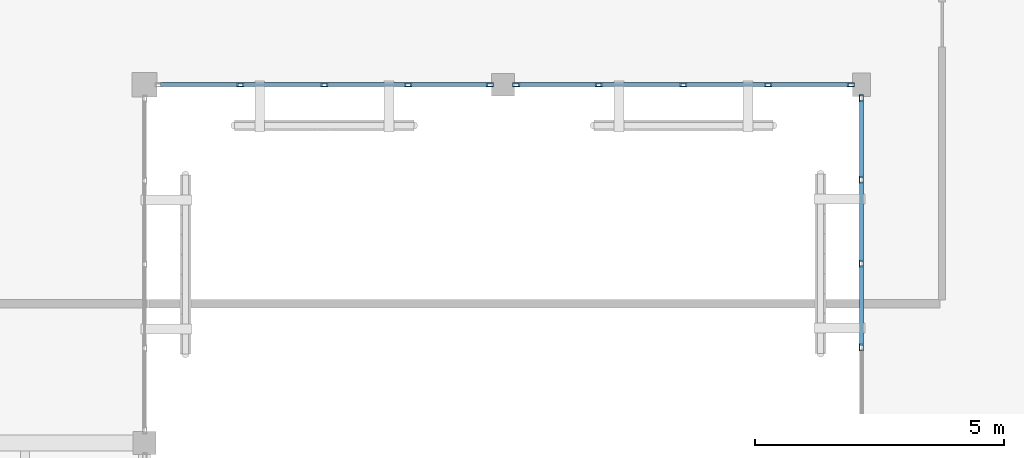
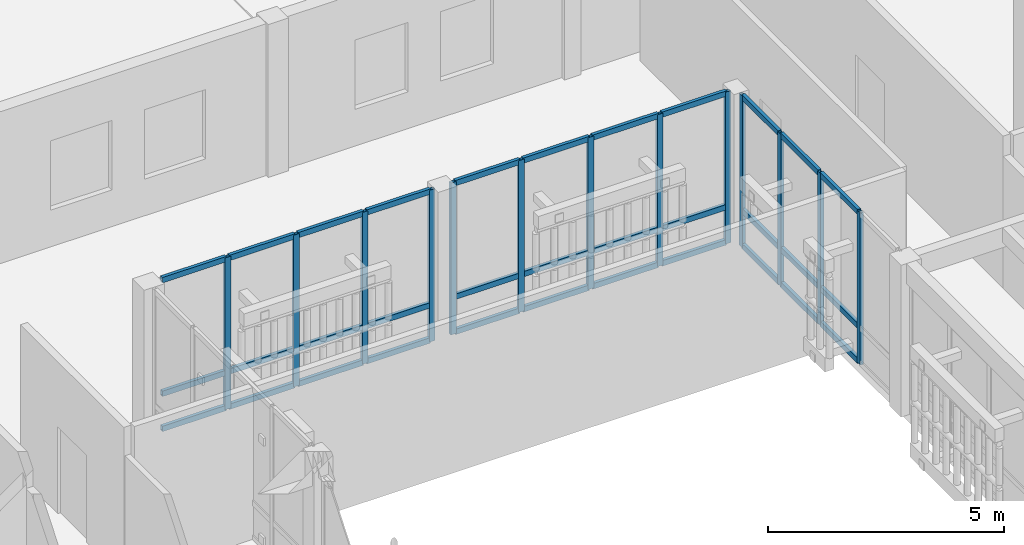
# One storey, part 25 of 61: 46 members, 3 elements without a shape of their own.
"""IFC4 building model written with IfcOpenShell, lengths in metres."""

from ifc_helpers import new_model, si_unit, direction, frame, origin, origin_2d, place, context, subcontext, project, spatial, hollow_rectangle, extrude, material, layer, layer_set, material_profile, profile_set, type_object, element, aggregate, save


model = new_model("IFC4")

# Units and contexts
model_context = context("Model", 3, precision=1e-05, world=origin(), true_north=direction((0.0, 1.0)))
body_context = subcontext(model_context, "Body", "Model", "MODEL_VIEW")
ifc_project = project(units=[si_unit("LENGTHUNIT", "METRE"), si_unit("AREAUNIT", "SQUARE_METRE"), si_unit("VOLUMEUNIT", "CUBIC_METRE"), si_unit("PLANEANGLEUNIT", "RADIAN"), si_unit("MASSUNIT", "GRAM", prefix="KILO")], contexts=[model_context])

# Site, building, storey
site_placement = place(None, origin())
site = spatial("IfcSite", under=ifc_project, at=site_placement, CompositionType="ELEMENT")
building_placement = place(site_placement, origin())
building = spatial("IfcBuilding", under=site, at=building_placement, Name="Mazaris Harbour Polytechnic", CompositionType="ELEMENT")
storey_placement = place(building_placement, frame((0.0, 0.0, 18.0)))
storey = spatial("IfcBuildingStorey", under=building, at=storey_placement, Name="L04", CompositionType="ELEMENT", Elevation=18.0)

# Curtain wall, members
ifc_material_1 = material(Name="Anodised Bronze Aluminium and Low-E Glass", Category="aluminium")
ifc_layer = layer(ifc_material_1, 0.159912109375, Name="Anodised Bronze Aluminium and Low-E Glass")
ifc_layer_set = layer_set([ifc_layer], Name="Anodised Bronze Aluminium and Low-E Glass")
curtain_wall_type = type_object("IfcCurtainWallType", Name="Cloister Court Curtain Wall", PredefinedType="NOTDEFINED", material=ifc_layer_set)
curtain_wall_1_placement = place(storey_placement, origin())
curtain_wall_1 = element("IfcCurtainWall", 1, at=curtain_wall_1_placement, inside=storey, type_object=curtain_wall_type, Name="V4 L04 Curtain Wall 169", PredefinedType="NOTDEFINED")
ifc_material_2 = material(Name="Anodised Bronze Steel S355", Category="steel")
ifc_material_profile_1 = material_profile(ifc_material_2, hollow_rectangle(XDim=0.080078125, YDim=0.139892578125, WallThickness=0.00634765625, at=origin_2d()), Name="RHS 80x140x6.3")
ifc_profile_set_1 = profile_set([ifc_material_profile_1], Name="Anodised Bronze Steel S355")
member_type_1 = type_object("IfcMemberType", Name="Curtain Mullion RHS80x140", PredefinedType="MULLION", material=ifc_profile_set_1)
member_1_placement = place(storey_placement, frame((21.337890625, 68.39990234375, 0.0), z_axis=(0.0, 0.0, 1.0), x_axis=(0.0, -1.0, 0.0)))
member_1 = element("IfcMember", 2, at=member_1_placement, type_object=member_type_1, Name="CW-02 mullion 1", PredefinedType="MULLION", context=body_context, shape_type="SweptSolid", body=[
    extrude(hollow_rectangle(XDim=0.080078125, YDim=0.139892578125, WallThickness=0.00634765625, at=origin_2d()), origin(), (0.0, 0.0, 1.0), 3.93505859375),
])
member_2_placement = place(storey_placement, frame((19.694091796875, 68.39990234375, 0.0), z_axis=(0.0, 0.0, 1.0), x_axis=(0.0, -1.0, 0.0)))
member_2 = element("IfcMember", 3, at=member_2_placement, type_object=member_type_1, Name="CW-02 mullion 2", PredefinedType="MULLION", context=body_context, shape_type="SweptSolid", body=[
    extrude(hollow_rectangle(XDim=0.080078125, YDim=0.139892578125, WallThickness=0.00634765625, at=origin_2d()), origin(), (0.0, 0.0, 1.0), 3.93505859375),
])
member_3_placement = place(storey_placement, frame((18.010009765625, 68.39990234375, 0.0), z_axis=(0.0, 0.0, 1.0), x_axis=(0.0, -1.0, 0.0)))
member_3 = element("IfcMember", 4, at=member_3_placement, type_object=member_type_1, Name="CW-02 mullion 3", PredefinedType="MULLION", context=body_context, shape_type="SweptSolid", body=[
    extrude(hollow_rectangle(XDim=0.080078125, YDim=0.139892578125, WallThickness=0.00634765625, at=origin_2d()), origin(), (0.0, 0.0, 1.0), 3.93505859375),
])
member_4_placement = place(storey_placement, frame((16.325927734375, 68.39990234375, 0.0), z_axis=(0.0, 0.0, 1.0), x_axis=(0.0, -1.0, 0.0)))
member_4 = element("IfcMember", 5, at=member_4_placement, type_object=member_type_1, Name="CW-02 mullion 4", PredefinedType="MULLION", context=body_context, shape_type="SweptSolid", body=[
    extrude(hollow_rectangle(XDim=0.080078125, YDim=0.139892578125, WallThickness=0.00634765625, at=origin_2d()), origin(), (0.0, 0.0, 1.0), 3.93505859375),
])

curtain_wall_2_placement = place(storey_placement, origin())
curtain_wall_2 = element("IfcCurtainWall", 6, at=curtain_wall_2_placement, inside=storey, type_object=curtain_wall_type, Name="V4 L04 Curtain Wall 170", PredefinedType="NOTDEFINED")
member_5_placement = place(storey_placement, frame((28.587890625, 68.39990234375, 0.0), z_axis=(0.0, 0.0, 1.0), x_axis=(0.0, -1.0, 0.0)))
member_5 = element("IfcMember", 7, at=member_5_placement, type_object=member_type_1, Name="CW-02 mullion 1", PredefinedType="MULLION", context=body_context, shape_type="SweptSolid", body=[
    extrude(hollow_rectangle(XDim=0.080078125, YDim=0.139892578125, WallThickness=0.00634765625, at=origin_2d()), origin(), (0.0, 0.0, 1.0), 3.93505859375),
])
member_6_placement = place(storey_placement, frame((26.926513671875, 68.39990234375, 0.0), z_axis=(0.0, 0.0, 1.0), x_axis=(0.0, -1.0, 0.0)))
member_6 = element("IfcMember", 8, at=member_6_placement, type_object=member_type_1, Name="CW-02 mullion 2", PredefinedType="MULLION", context=body_context, shape_type="SweptSolid", body=[
    extrude(hollow_rectangle(XDim=0.080078125, YDim=0.139892578125, WallThickness=0.00634765625, at=origin_2d()), origin(), (0.0, 0.0, 1.0), 3.93505859375),
])
member_7_placement = place(storey_placement, frame((25.22509765625, 68.39990234375, 0.0), z_axis=(0.0, 0.0, 1.0), x_axis=(0.0, -1.0, 0.0)))
member_7 = element("IfcMember", 9, at=member_7_placement, type_object=member_type_1, Name="CW-02 mullion 3", PredefinedType="MULLION", context=body_context, shape_type="SweptSolid", body=[
    extrude(hollow_rectangle(XDim=0.080078125, YDim=0.139892578125, WallThickness=0.00634765625, at=origin_2d()), origin(), (0.0, 0.0, 1.0), 3.93505859375),
])
member_8_placement = place(storey_placement, frame((23.5234375, 68.39990234375, 0.0), z_axis=(0.0, 0.0, 1.0), x_axis=(0.0, -1.0, 0.0)))
member_8 = element("IfcMember", 10, at=member_8_placement, type_object=member_type_1, Name="CW-02 mullion 4", PredefinedType="MULLION", context=body_context, shape_type="SweptSolid", body=[
    extrude(hollow_rectangle(XDim=0.080078125, YDim=0.139892578125, WallThickness=0.00634765625, at=origin_2d()), origin(), (0.0, 0.0, 1.0), 3.93505859375),
])
member_9_placement = place(storey_placement, frame((21.862060546875, 68.39990234375, 0.0), z_axis=(0.0, 0.0, 1.0), x_axis=(0.0, -1.0, 0.0)))
member_9 = element("IfcMember", 11, at=member_9_placement, type_object=member_type_1, Name="CW-02 mullion 5", PredefinedType="MULLION", context=body_context, shape_type="SweptSolid", body=[
    extrude(hollow_rectangle(XDim=0.080078125, YDim=0.139892578125, WallThickness=0.00634765625, at=origin_2d()), origin(), (0.0, 0.0, 1.0), 3.93505859375),
])

curtain_wall_3_placement = place(storey_placement, origin())
curtain_wall_3 = element("IfcCurtainWall", 12, at=curtain_wall_3_placement, inside=storey, type_object=curtain_wall_type, Name="V4 L04 Curtain Wall 178", PredefinedType="NOTDEFINED")
member_10_placement = place(storey_placement, frame((28.800048828125, 68.1279296875, 0.0), z_axis=(0.0, 0.0, 1.0), x_axis=(1.0, 0.0, 0.0)))
member_10 = element("IfcMember", 13, at=member_10_placement, type_object=member_type_1, Name="CW-02 mullion 1", PredefinedType="MULLION", context=body_context, shape_type="SweptSolid", body=[
    extrude(hollow_rectangle(XDim=0.080078125, YDim=0.139892578125, WallThickness=0.00634765625, at=origin_2d()), origin(), (0.0, 0.0, 1.0), 3.93505859375),
])
member_11_placement = place(storey_placement, frame((28.800048828125, 66.486572265625, 0.0), z_axis=(0.0, 0.0, 1.0), x_axis=(1.0, 0.0, 0.0)))
member_11 = element("IfcMember", 14, at=member_11_placement, type_object=member_type_1, Name="CW-02 mullion 2", PredefinedType="MULLION", context=body_context, shape_type="SweptSolid", body=[
    extrude(hollow_rectangle(XDim=0.080078125, YDim=0.139892578125, WallThickness=0.00634765625, at=origin_2d()), origin(), (0.0, 0.0, 1.0), 3.93505859375),
])
member_12_placement = place(storey_placement, frame((28.800048828125, 64.804931640625, 0.0), z_axis=(0.0, 0.0, 1.0), x_axis=(1.0, 0.0, 0.0)))
member_12 = element("IfcMember", 15, at=member_12_placement, type_object=member_type_1, Name="CW-02 mullion 3", PredefinedType="MULLION", context=body_context, shape_type="SweptSolid", body=[
    extrude(hollow_rectangle(XDim=0.080078125, YDim=0.139892578125, WallThickness=0.00634765625, at=origin_2d()), origin(), (0.0, 0.0, 1.0), 3.93505859375),
])
member_13_placement = place(storey_placement, frame((28.800048828125, 63.12353515625, 0.0), z_axis=(0.0, 0.0, 1.0), x_axis=(1.0, 0.0, 0.0)))
member_13 = element("IfcMember", 16, at=member_13_placement, type_object=member_type_1, Name="CW-02 mullion 4", PredefinedType="MULLION", context=body_context, shape_type="SweptSolid", body=[
    extrude(hollow_rectangle(XDim=0.080078125, YDim=0.139892578125, WallThickness=0.00634765625, at=origin_2d()), origin(), (0.0, 0.0, 1.0), 3.93505859375),
])

# Member
ifc_material_3 = material(Name="Anodised Bronze Steel S355", Category="steel")
ifc_material_profile_2 = material_profile(ifc_material_3, hollow_rectangle(XDim=0.080078125, YDim=0.139892578125, WallThickness=0.00634765625, at=origin_2d()), Name="RHS 80x140x6.3")
ifc_profile_set_2 = profile_set([ifc_material_profile_2], Name="Anodised Bronze Steel S355")
member_type_2 = type_object("IfcMemberType", Name="Curtain Transom RHS80x140", PredefinedType="USERDEFINED", material=ifc_profile_set_2)
member_14_placement = place(storey_placement, frame((21.298095703125, 68.39990234375, 0.0400390625), z_axis=(-1.0, 0.0, 0.0), x_axis=(0.0, -1.0, 0.0)))
member_14 = element("IfcMember", 17, at=member_14_placement, type_object=member_type_2, Name="CW-02 transom 1.1", ObjectType="TRANSOM", PredefinedType="USERDEFINED", context=body_context, shape_type="SweptSolid", body=[
    extrude(hollow_rectangle(XDim=0.080078125, YDim=0.139892578125, WallThickness=0.00634765625, at=origin_2d()), origin(), (0.0, 0.0, 1.0), 1.564208984375),
])

member_15_placement = place(storey_placement, frame((21.298095703125, 68.39990234375, 0.949951171875), z_axis=(-1.0, 0.0, 0.0), x_axis=(0.0, -1.0, 0.0)))
member_15 = element("IfcMember", 18, at=member_15_placement, type_object=member_type_2, Name="CW-02 transom 1.2", ObjectType="TRANSOM", PredefinedType="USERDEFINED", context=body_context, shape_type="SweptSolid", body=[
    extrude(hollow_rectangle(XDim=0.080078125, YDim=0.139892578125, WallThickness=0.00634765625, at=origin_2d()), origin(), (0.0, 0.0, 1.0), 1.564208984375),
])

member_16_placement = place(storey_placement, frame((21.298095703125, 68.39990234375, 3.89501953125), z_axis=(-1.0, 0.0, 0.0), x_axis=(0.0, -1.0, 0.0)))
member_16 = element("IfcMember", 19, at=member_16_placement, type_object=member_type_2, Name="CW-02 transom 1.3", ObjectType="TRANSOM", PredefinedType="USERDEFINED", context=body_context, shape_type="SweptSolid", body=[
    extrude(hollow_rectangle(XDim=0.080078125, YDim=0.139892578125, WallThickness=0.00634765625, at=origin_2d()), origin(), (0.0, 0.0, 1.0), 1.564208984375),
])

member_17_placement = place(storey_placement, frame((19.654052734375, 68.39990234375, 0.0400390625), z_axis=(-1.0, 0.0, 0.0), x_axis=(0.0, -1.0, 0.0)))
member_17 = element("IfcMember", 20, at=member_17_placement, type_object=member_type_2, Name="CW-02 transom 2.1", ObjectType="TRANSOM", PredefinedType="USERDEFINED", context=body_context, shape_type="SweptSolid", body=[
    extrude(hollow_rectangle(XDim=0.080078125, YDim=0.139892578125, WallThickness=0.00634765625, at=origin_2d()), origin(), (0.0, 0.0, 1.0), 1.60400390625),
])

member_18_placement = place(storey_placement, frame((19.654052734375, 68.39990234375, 0.949951171875), z_axis=(-1.0, 0.0, 0.0), x_axis=(0.0, -1.0, 0.0)))
member_18 = element("IfcMember", 21, at=member_18_placement, type_object=member_type_2, Name="CW-02 transom 2.2", ObjectType="TRANSOM", PredefinedType="USERDEFINED", context=body_context, shape_type="SweptSolid", body=[
    extrude(hollow_rectangle(XDim=0.080078125, YDim=0.139892578125, WallThickness=0.00634765625, at=origin_2d()), origin(), (0.0, 0.0, 1.0), 1.60400390625),
])

member_19_placement = place(storey_placement, frame((19.654052734375, 68.39990234375, 3.89501953125), z_axis=(-1.0, 0.0, 0.0), x_axis=(0.0, -1.0, 0.0)))
member_19 = element("IfcMember", 22, at=member_19_placement, type_object=member_type_2, Name="CW-02 transom 2.3", ObjectType="TRANSOM", PredefinedType="USERDEFINED", context=body_context, shape_type="SweptSolid", body=[
    extrude(hollow_rectangle(XDim=0.080078125, YDim=0.139892578125, WallThickness=0.00634765625, at=origin_2d()), origin(), (0.0, 0.0, 1.0), 1.60400390625),
])

member_20_placement = place(storey_placement, frame((17.969970703125, 68.39990234375, 0.0400390625), z_axis=(-1.0, 0.0, 0.0), x_axis=(0.0, -1.0, 0.0)))
member_20 = element("IfcMember", 23, at=member_20_placement, type_object=member_type_2, Name="CW-02 transom 3.1", ObjectType="TRANSOM", PredefinedType="USERDEFINED", context=body_context, shape_type="SweptSolid", body=[
    extrude(hollow_rectangle(XDim=0.080078125, YDim=0.139892578125, WallThickness=0.00634765625, at=origin_2d()), origin(), (0.0, 0.0, 1.0), 1.60400390625),
])

member_21_placement = place(storey_placement, frame((17.969970703125, 68.39990234375, 0.949951171875), z_axis=(-1.0, 0.0, 0.0), x_axis=(0.0, -1.0, 0.0)))
member_21 = element("IfcMember", 24, at=member_21_placement, type_object=member_type_2, Name="CW-02 transom 3.2", ObjectType="TRANSOM", PredefinedType="USERDEFINED", context=body_context, shape_type="SweptSolid", body=[
    extrude(hollow_rectangle(XDim=0.080078125, YDim=0.139892578125, WallThickness=0.00634765625, at=origin_2d()), origin(), (0.0, 0.0, 1.0), 1.60400390625),
])

member_22_placement = place(storey_placement, frame((17.969970703125, 68.39990234375, 3.89501953125), z_axis=(-1.0, 0.0, 0.0), x_axis=(0.0, -1.0, 0.0)))
member_22 = element("IfcMember", 25, at=member_22_placement, type_object=member_type_2, Name="CW-02 transom 3.3", ObjectType="TRANSOM", PredefinedType="USERDEFINED", context=body_context, shape_type="SweptSolid", body=[
    extrude(hollow_rectangle(XDim=0.080078125, YDim=0.139892578125, WallThickness=0.00634765625, at=origin_2d()), origin(), (0.0, 0.0, 1.0), 1.60400390625),
])

member_23_placement = place(storey_placement, frame((16.285888671875, 68.39990234375, 0.0400390625), z_axis=(-1.0, 0.0, 0.0), x_axis=(0.0, -1.0, 0.0)))
member_23 = element("IfcMember", 26, at=member_23_placement, type_object=member_type_2, Name="CW-02 transom 4.1", ObjectType="TRANSOM", PredefinedType="USERDEFINED", context=body_context, shape_type="SweptSolid", body=[
    extrude(hollow_rectangle(XDim=0.080078125, YDim=0.139892578125, WallThickness=0.00634765625, at=origin_2d()), origin(), (0.0, 0.0, 1.0), 1.56396484375),
])

member_24_placement = place(storey_placement, frame((16.285888671875, 68.39990234375, 0.949951171875), z_axis=(-1.0, 0.0, 0.0), x_axis=(0.0, -1.0, 0.0)))
member_24 = element("IfcMember", 27, at=member_24_placement, type_object=member_type_2, Name="CW-02 transom 4.2", ObjectType="TRANSOM", PredefinedType="USERDEFINED", context=body_context, shape_type="SweptSolid", body=[
    extrude(hollow_rectangle(XDim=0.080078125, YDim=0.139892578125, WallThickness=0.00634765625, at=origin_2d()), origin(), (0.0, 0.0, 1.0), 1.56396484375),
])

member_25_placement = place(storey_placement, frame((16.285888671875, 68.39990234375, 3.89501953125), z_axis=(-1.0, 0.0, 0.0), x_axis=(0.0, -1.0, 0.0)))
member_25 = element("IfcMember", 28, at=member_25_placement, type_object=member_type_2, Name="CW-02 transom 4.3", ObjectType="TRANSOM", PredefinedType="USERDEFINED", context=body_context, shape_type="SweptSolid", body=[
    extrude(hollow_rectangle(XDim=0.080078125, YDim=0.139892578125, WallThickness=0.00634765625, at=origin_2d()), origin(), (0.0, 0.0, 1.0), 1.56396484375),
])

aggregate(curtain_wall_1, [member_1, member_2, member_3, member_4, member_14, member_15, member_16, member_17, member_18, member_19, member_20, member_21, member_22, member_23, member_24, member_25])

member_26_placement = place(storey_placement, frame((28.548095703125, 68.39990234375, 0.0400390625), z_axis=(-1.0, 0.0, 0.0), x_axis=(0.0, -1.0, 0.0)))
member_26 = element("IfcMember", 29, at=member_26_placement, type_object=member_type_2, Name="CW-02 transom 1.1", ObjectType="TRANSOM", PredefinedType="USERDEFINED", context=body_context, shape_type="SweptSolid", body=[
    extrude(hollow_rectangle(XDim=0.080078125, YDim=0.139892578125, WallThickness=0.00634765625, at=origin_2d()), origin(), (0.0, 0.0, 1.0), 1.58154296875),
])

member_27_placement = place(storey_placement, frame((28.548095703125, 68.39990234375, 0.949951171875), z_axis=(-1.0, 0.0, 0.0), x_axis=(0.0, -1.0, 0.0)))
member_27 = element("IfcMember", 30, at=member_27_placement, type_object=member_type_2, Name="CW-02 transom 1.2", ObjectType="TRANSOM", PredefinedType="USERDEFINED", context=body_context, shape_type="SweptSolid", body=[
    extrude(hollow_rectangle(XDim=0.080078125, YDim=0.139892578125, WallThickness=0.00634765625, at=origin_2d()), origin(), (0.0, 0.0, 1.0), 1.58154296875),
])

member_28_placement = place(storey_placement, frame((28.548095703125, 68.39990234375, 3.89501953125), z_axis=(-1.0, 0.0, 0.0), x_axis=(0.0, -1.0, 0.0)))
member_28 = element("IfcMember", 31, at=member_28_placement, type_object=member_type_2, Name="CW-02 transom 1.3", ObjectType="TRANSOM", PredefinedType="USERDEFINED", context=body_context, shape_type="SweptSolid", body=[
    extrude(hollow_rectangle(XDim=0.080078125, YDim=0.139892578125, WallThickness=0.00634765625, at=origin_2d()), origin(), (0.0, 0.0, 1.0), 1.58154296875),
])

member_29_placement = place(storey_placement, frame((26.886474609375, 68.39990234375, 0.0400390625), z_axis=(-1.0, 0.0, 0.0), x_axis=(0.0, -1.0, 0.0)))
member_29 = element("IfcMember", 32, at=member_29_placement, type_object=member_type_2, Name="CW-02 transom 2.1", ObjectType="TRANSOM", PredefinedType="USERDEFINED", context=body_context, shape_type="SweptSolid", body=[
    extrude(hollow_rectangle(XDim=0.080078125, YDim=0.139892578125, WallThickness=0.00634765625, at=origin_2d()), origin(), (0.0, 0.0, 1.0), 1.62158203125),
])

member_30_placement = place(storey_placement, frame((26.886474609375, 68.39990234375, 0.949951171875), z_axis=(-1.0, 0.0, 0.0), x_axis=(0.0, -1.0, 0.0)))
member_30 = element("IfcMember", 33, at=member_30_placement, type_object=member_type_2, Name="CW-02 transom 2.2", ObjectType="TRANSOM", PredefinedType="USERDEFINED", context=body_context, shape_type="SweptSolid", body=[
    extrude(hollow_rectangle(XDim=0.080078125, YDim=0.139892578125, WallThickness=0.00634765625, at=origin_2d()), origin(), (0.0, 0.0, 1.0), 1.62158203125),
])

member_31_placement = place(storey_placement, frame((26.886474609375, 68.39990234375, 3.89501953125), z_axis=(-1.0, 0.0, 0.0), x_axis=(0.0, -1.0, 0.0)))
member_31 = element("IfcMember", 34, at=member_31_placement, type_object=member_type_2, Name="CW-02 transom 2.3", ObjectType="TRANSOM", PredefinedType="USERDEFINED", context=body_context, shape_type="SweptSolid", body=[
    extrude(hollow_rectangle(XDim=0.080078125, YDim=0.139892578125, WallThickness=0.00634765625, at=origin_2d()), origin(), (0.0, 0.0, 1.0), 1.62158203125),
])

member_32_placement = place(storey_placement, frame((25.18505859375, 68.39990234375, 0.0400390625), z_axis=(-1.0, 0.0, 0.0), x_axis=(0.0, -1.0, 0.0)))
member_32 = element("IfcMember", 35, at=member_32_placement, type_object=member_type_2, Name="CW-02 transom 3.1", ObjectType="TRANSOM", PredefinedType="USERDEFINED", context=body_context, shape_type="SweptSolid", body=[
    extrude(hollow_rectangle(XDim=0.080078125, YDim=0.139892578125, WallThickness=0.00634765625, at=origin_2d()), origin(), (0.0, 0.0, 1.0), 1.62158203125),
])

member_33_placement = place(storey_placement, frame((25.18505859375, 68.39990234375, 0.949951171875), z_axis=(-1.0, 0.0, 0.0), x_axis=(0.0, -1.0, 0.0)))
member_33 = element("IfcMember", 36, at=member_33_placement, type_object=member_type_2, Name="CW-02 transom 3.2", ObjectType="TRANSOM", PredefinedType="USERDEFINED", context=body_context, shape_type="SweptSolid", body=[
    extrude(hollow_rectangle(XDim=0.080078125, YDim=0.139892578125, WallThickness=0.00634765625, at=origin_2d()), origin(), (0.0, 0.0, 1.0), 1.62158203125),
])

member_34_placement = place(storey_placement, frame((25.18505859375, 68.39990234375, 3.89501953125), z_axis=(-1.0, 0.0, 0.0), x_axis=(0.0, -1.0, 0.0)))
member_34 = element("IfcMember", 37, at=member_34_placement, type_object=member_type_2, Name="CW-02 transom 3.3", ObjectType="TRANSOM", PredefinedType="USERDEFINED", context=body_context, shape_type="SweptSolid", body=[
    extrude(hollow_rectangle(XDim=0.080078125, YDim=0.139892578125, WallThickness=0.00634765625, at=origin_2d()), origin(), (0.0, 0.0, 1.0), 1.62158203125),
])

member_35_placement = place(storey_placement, frame((23.4833984375, 68.39990234375, 0.0400390625), z_axis=(-1.0, 0.0, 0.0), x_axis=(0.0, -1.0, 0.0)))
member_35 = element("IfcMember", 38, at=member_35_placement, type_object=member_type_2, Name="CW-02 transom 4.1", ObjectType="TRANSOM", PredefinedType="USERDEFINED", context=body_context, shape_type="SweptSolid", body=[
    extrude(hollow_rectangle(XDim=0.080078125, YDim=0.139892578125, WallThickness=0.00634765625, at=origin_2d()), origin(), (0.0, 0.0, 1.0), 1.581298828125),
])

member_36_placement = place(storey_placement, frame((23.4833984375, 68.39990234375, 0.949951171875), z_axis=(-1.0, 0.0, 0.0), x_axis=(0.0, -1.0, 0.0)))
member_36 = element("IfcMember", 39, at=member_36_placement, type_object=member_type_2, Name="CW-02 transom 4.2", ObjectType="TRANSOM", PredefinedType="USERDEFINED", context=body_context, shape_type="SweptSolid", body=[
    extrude(hollow_rectangle(XDim=0.080078125, YDim=0.139892578125, WallThickness=0.00634765625, at=origin_2d()), origin(), (0.0, 0.0, 1.0), 1.581298828125),
])

member_37_placement = place(storey_placement, frame((23.4833984375, 68.39990234375, 3.89501953125), z_axis=(-1.0, 0.0, 0.0), x_axis=(0.0, -1.0, 0.0)))
member_37 = element("IfcMember", 40, at=member_37_placement, type_object=member_type_2, Name="CW-02 transom 4.3", ObjectType="TRANSOM", PredefinedType="USERDEFINED", context=body_context, shape_type="SweptSolid", body=[
    extrude(hollow_rectangle(XDim=0.080078125, YDim=0.139892578125, WallThickness=0.00634765625, at=origin_2d()), origin(), (0.0, 0.0, 1.0), 1.581298828125),
])

aggregate(curtain_wall_2, [member_5, member_6, member_7, member_8, member_9, member_26, member_27, member_28, member_29, member_30, member_31, member_32, member_33, member_34, member_35, member_36, member_37])

member_38_placement = place(storey_placement, frame((28.800048828125, 68.087890625, 0.0400390625), z_axis=(0.0, -1.0, 0.0), x_axis=(1.0, 0.0, 0.0)))
member_38 = element("IfcMember", 41, at=member_38_placement, type_object=member_type_2, Name="CW-02 transom 1.1", ObjectType="TRANSOM", PredefinedType="USERDEFINED", context=body_context, shape_type="SweptSolid", body=[
    extrude(hollow_rectangle(XDim=0.080078125, YDim=0.139892578125, WallThickness=0.00634765625, at=origin_2d()), origin(), (0.0, 0.0, 1.0), 1.561279296875),
])

member_39_placement = place(storey_placement, frame((28.800048828125, 68.087890625, 0.949951171875), z_axis=(0.0, -1.0, 0.0), x_axis=(1.0, 0.0, 0.0)))
member_39 = element("IfcMember", 42, at=member_39_placement, type_object=member_type_2, Name="CW-02 transom 1.2", ObjectType="TRANSOM", PredefinedType="USERDEFINED", context=body_context, shape_type="SweptSolid", body=[
    extrude(hollow_rectangle(XDim=0.080078125, YDim=0.139892578125, WallThickness=0.00634765625, at=origin_2d()), origin(), (0.0, 0.0, 1.0), 1.561279296875),
])

member_40_placement = place(storey_placement, frame((28.800048828125, 68.087890625, 3.89501953125), z_axis=(0.0, -1.0, 0.0), x_axis=(1.0, 0.0, 0.0)))
member_40 = element("IfcMember", 43, at=member_40_placement, type_object=member_type_2, Name="CW-02 transom 1.3", ObjectType="TRANSOM", PredefinedType="USERDEFINED", context=body_context, shape_type="SweptSolid", body=[
    extrude(hollow_rectangle(XDim=0.080078125, YDim=0.139892578125, WallThickness=0.00634765625, at=origin_2d()), origin(), (0.0, 0.0, 1.0), 1.561279296875),
])

member_41_placement = place(storey_placement, frame((28.800048828125, 66.446533203125, 0.0400390625), z_axis=(0.0, -1.0, 0.0), x_axis=(1.0, 0.0, 0.0)))
member_41 = element("IfcMember", 44, at=member_41_placement, type_object=member_type_2, Name="CW-02 transom 2.1", ObjectType="TRANSOM", PredefinedType="USERDEFINED", context=body_context, shape_type="SweptSolid", body=[
    extrude(hollow_rectangle(XDim=0.080078125, YDim=0.139892578125, WallThickness=0.00634765625, at=origin_2d()), origin(), (0.0, 0.0, 1.0), 1.6015625),
])

member_42_placement = place(storey_placement, frame((28.800048828125, 66.446533203125, 0.949951171875), z_axis=(0.0, -1.0, 0.0), x_axis=(1.0, 0.0, 0.0)))
member_42 = element("IfcMember", 45, at=member_42_placement, type_object=member_type_2, Name="CW-02 transom 2.2", ObjectType="TRANSOM", PredefinedType="USERDEFINED", context=body_context, shape_type="SweptSolid", body=[
    extrude(hollow_rectangle(XDim=0.080078125, YDim=0.139892578125, WallThickness=0.00634765625, at=origin_2d()), origin(), (0.0, 0.0, 1.0), 1.6015625),
])

member_43_placement = place(storey_placement, frame((28.800048828125, 66.446533203125, 3.89501953125), z_axis=(0.0, -1.0, 0.0), x_axis=(1.0, 0.0, 0.0)))
member_43 = element("IfcMember", 46, at=member_43_placement, type_object=member_type_2, Name="CW-02 transom 2.3", ObjectType="TRANSOM", PredefinedType="USERDEFINED", context=body_context, shape_type="SweptSolid", body=[
    extrude(hollow_rectangle(XDim=0.080078125, YDim=0.139892578125, WallThickness=0.00634765625, at=origin_2d()), origin(), (0.0, 0.0, 1.0), 1.6015625),
])

member_44_placement = place(storey_placement, frame((28.800048828125, 64.764892578125, 0.0400390625), z_axis=(0.0, -1.0, 0.0), x_axis=(1.0, 0.0, 0.0)))
member_44 = element("IfcMember", 47, at=member_44_placement, type_object=member_type_2, Name="CW-02 transom 3.1", ObjectType="TRANSOM", PredefinedType="USERDEFINED", context=body_context, shape_type="SweptSolid", body=[
    extrude(hollow_rectangle(XDim=0.080078125, YDim=0.139892578125, WallThickness=0.00634765625, at=origin_2d()), origin(), (0.0, 0.0, 1.0), 1.601318359375),
])

member_45_placement = place(storey_placement, frame((28.800048828125, 64.764892578125, 0.949951171875), z_axis=(0.0, -1.0, 0.0), x_axis=(1.0, 0.0, 0.0)))
member_45 = element("IfcMember", 48, at=member_45_placement, type_object=member_type_2, Name="CW-02 transom 3.2", ObjectType="TRANSOM", PredefinedType="USERDEFINED", context=body_context, shape_type="SweptSolid", body=[
    extrude(hollow_rectangle(XDim=0.080078125, YDim=0.139892578125, WallThickness=0.00634765625, at=origin_2d()), origin(), (0.0, 0.0, 1.0), 1.601318359375),
])

member_46_placement = place(storey_placement, frame((28.800048828125, 64.764892578125, 3.89501953125), z_axis=(0.0, -1.0, 0.0), x_axis=(1.0, 0.0, 0.0)))
member_46 = element("IfcMember", 49, at=member_46_placement, type_object=member_type_2, Name="CW-02 transom 3.3", ObjectType="TRANSOM", PredefinedType="USERDEFINED", context=body_context, shape_type="SweptSolid", body=[
    extrude(hollow_rectangle(XDim=0.080078125, YDim=0.139892578125, WallThickness=0.00634765625, at=origin_2d()), origin(), (0.0, 0.0, 1.0), 1.601318359375),
])

aggregate(curtain_wall_3, [member_10, member_11, member_12, member_13, member_38, member_39, member_40, member_41, member_42, member_43, member_44, member_45, member_46])

save(model, "model.ifc")
